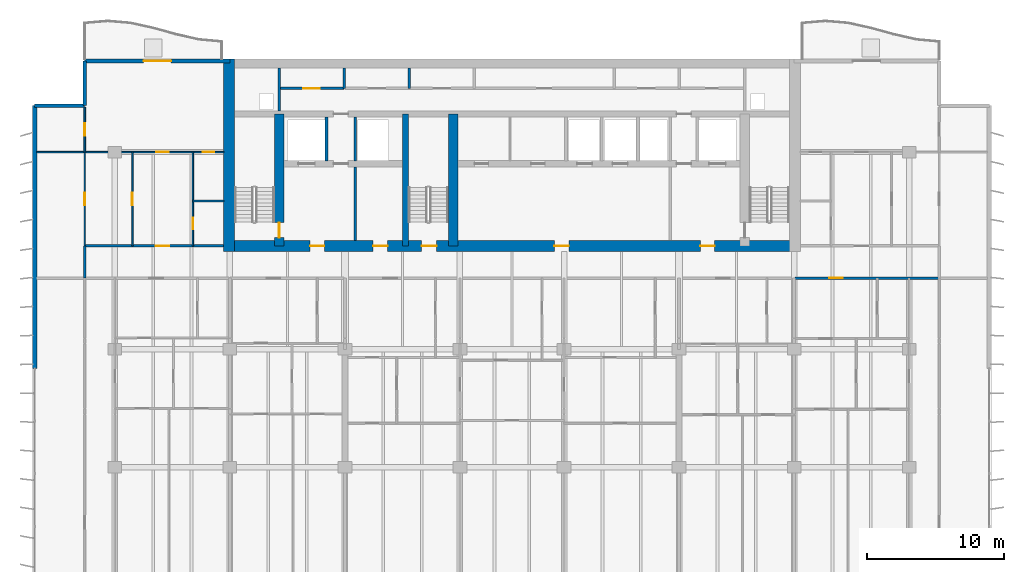
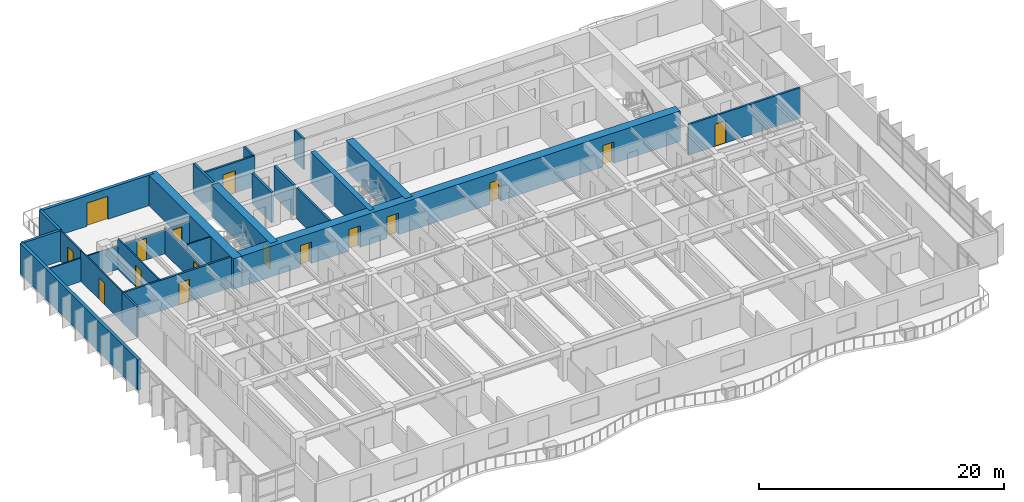
# One storey, part 10 of 17: 25 walls, 16 doors, 16 openings.
"""IFC4 building model written with IfcOpenShell, lengths in metres."""

from ifc_helpers import new_model, si_unit, direction, frame, frame_2d, origin, place, context, subcontext, project, spatial, rectangle, extrude, material, layer, layer_set, type_object, element, fill, save


model = new_model("IFC4")

# Units and contexts
model_context = context("Model", 3, precision=1e-05, world=origin(), true_north=direction((0.0, 1.0)))
body_context = subcontext(model_context, "Body", "Model", "MODEL_VIEW")
ifc_project = project(units=[si_unit("LENGTHUNIT", "METRE"), si_unit("AREAUNIT", "SQUARE_METRE"), si_unit("VOLUMEUNIT", "CUBIC_METRE"), si_unit("PLANEANGLEUNIT", "RADIAN"), si_unit("MASSUNIT", "GRAM", prefix="KILO")], contexts=[model_context])

# Site, building, storey
site_placement = place(None, origin())
site = spatial("IfcSite", under=ifc_project, at=site_placement, CompositionType="ELEMENT")
building_placement = place(site_placement, origin())
building = spatial("IfcBuilding", under=site, at=building_placement, Name="Caelmar Bay Residences", CompositionType="ELEMENT")
storey_placement = place(building_placement, frame((0.0, 0.0, 105.89990234375)))
storey = spatial("IfcBuildingStorey", under=building, at=storey_placement, Name="L28", CompositionType="ELEMENT", Elevation=105.89990234375)

# Wall, opening, door
ifc_material_1 = material(Name="Concrete f'c 55 MPa (8,000 psi)", Category="concrete")
ifc_layer_1 = layer(ifc_material_1, 0.699951171875)
ifc_layer_set_1 = layer_set([ifc_layer_1], Name="Concrete f'c 55 MPa (8,000 psi)")
wall_type_1 = type_object("IfcWallType", Name="SW-COR-700", PredefinedType="SHEAR", material=ifc_layer_set_1)
wall_1_placement = place(storey_placement, frame((21.89990234375, 36.949951171875, 0.0), z_axis=(0.0, 0.0, 1.0), x_axis=(0.0, 1.0, 0.0)))
wall_1 = element("IfcWall", 1, at=wall_1_placement, inside=storey, type_object=wall_type_1, Name="L28 Core Structural Web Wall ST1E", PredefinedType="SHEAR", context=body_context, shape_type="SweptSolid", body=[
    extrude(rectangle(XDim=9.625, YDim=0.699951171875, at=frame_2d((4.8125, 0.0))), origin(), (0.0, 0.0, 1.0), 3.050048828125),
])
opening_1_placement = place(wall_1_placement, frame((0.60009765625, 0.0, 0.0)))
opening_1 = element("IfcOpeningElement", 2, at=opening_1_placement, cuts=wall_1, Name="Opening D-L28-107", PredefinedType="OPENING", context=body_context, shape_type="SweptSolid", body=[
    extrude(rectangle(XDim=1.10009765625, YDim=2.14990234375, at=frame_2d((0.550048828125, 1.074951171875))), frame((0.0, 0.35986328125, 0.0), z_axis=(0.0, -1.0, 0.0), x_axis=(1.0, 0.0, 0.0)), (0.0, 0.0, 1.0), 0.719970703125),
])
ifc_material_2 = material(Name="Fire-rated steel and walnut architectural door assembly", Category="steel")
ifc_layer_2 = layer(ifc_material_2, 0.050048828125)
ifc_layer_set_2 = layer_set([ifc_layer_2], Name="Fire-rated steel and walnut architectural door assembly")
door_type_1 = type_object("IfcDoorType", Name="D-STAIR-1100", OperationType="NOTDEFINED", PredefinedType="DOOR", material=ifc_layer_set_2)
door_1_placement = place(opening_1_placement, origin())
door_1 = element("IfcDoor", 3, at=door_1_placement, inside=storey, type_object=door_type_1, Name="L28 Firefighting Lobby West Door", OperationType="SINGLE_SWING_LEFT", OverallHeight=2.14990234375, OverallWidth=1.10009765625, PredefinedType="DOOR", context=body_context, shape_type="SweptSolid", body=[
    extrude(rectangle(XDim=1.10009765625, YDim=2.14990234375, at=frame_2d((0.550048828125, 1.074951171875))), frame((0.0, 0.02490234375, 0.0), z_axis=(0.0, -1.0, 0.0), x_axis=(1.0, 0.0, 0.0)), (0.0, 0.0, 1.0), 0.050048828125),
])
fill(opening_1, door_1)

# Wall
wall_2_placement = place(storey_placement, frame((34.60009765625, 36.949951171875, 0.0), z_axis=(0.0, 0.0, 1.0), x_axis=(0.0, 1.0, 0.0)))
element("IfcWall", 4, at=wall_2_placement, inside=storey, type_object=wall_type_1, Name="L28 Core Structural Web Wall ST3E", PredefinedType="SHEAR", context=body_context, shape_type="SweptSolid", body=[
    extrude(rectangle(XDim=9.625, YDim=0.699951171875, at=frame_2d((4.8125, 0.0))), origin(), (0.0, 0.0, 1.0), 3.050048828125),
])

# Wall, openings, doors
ifc_material_3 = material(Name="Concrete f'c 70 MPa (10,000 psi)", Category="concrete")
ifc_layer_3 = layer(ifc_material_3, 0.800048828125)
ifc_layer_set_3 = layer_set([ifc_layer_3], Name="Concrete f'c 70 MPa (10,000 psi)")
wall_type_2 = type_object("IfcWallType", Name="SW-COR-800", PredefinedType="SHEAR", material=ifc_layer_set_3)
wall_3_placement = place(storey_placement, frame((17.85009765625, 36.949951171875, 0.0), z_axis=(0.0, 0.0, 1.0), x_axis=(1.0, 0.0, 0.0)))
wall_3 = element("IfcWall", 5, at=wall_3_placement, inside=storey, type_object=wall_type_2, Name="L28 Rear Core South Shear Wall", PredefinedType="SHEAR", context=body_context, shape_type="SweptSolid", body=[
    extrude(rectangle(XDim=42.099853515625, YDim=0.800048828125, at=frame_2d((21.0498046875, 0.0))), origin(), (0.0, 0.0, 1.0), 3.050048828125),
])
opening_2_placement = place(wall_3_placement, frame((14.449951171875, 0.0, 0.0)))
opening_2 = element("IfcOpeningElement", 6, at=opening_2_placement, cuts=wall_3, Name="Opening D-L28-105", PredefinedType="OPENING", context=body_context, shape_type="SweptSolid", body=[
    extrude(rectangle(XDim=1.10009765625, YDim=2.14990234375, at=frame_2d((0.550048828125, 1.074951171875))), frame((0.0, 0.409912109375, 0.0), z_axis=(0.0, -1.0, 0.0), x_axis=(1.0, 0.0, 0.0)), (0.0, 0.0, 1.0), 0.820068359375),
])
opening_3_placement = place(wall_3_placement, frame((6.300048828125, 0.0, 0.0)))
opening_3 = element("IfcOpeningElement", 7, at=opening_3_placement, cuts=wall_3, Name="Opening D-L28-106", PredefinedType="OPENING", context=body_context, shape_type="SweptSolid", body=[
    extrude(rectangle(XDim=1.050048828125, YDim=2.14990234375, at=frame_2d((0.52490234375, 1.074951171875))), frame((0.0, 0.409912109375, 0.0), z_axis=(0.0, -1.0, 0.0), x_axis=(1.0, 0.0, 0.0)), (0.0, 0.0, 1.0), 0.820068359375),
])
opening_4_placement = place(wall_3_placement, frame((34.800048828125, 0.0, 0.0)))
opening_4 = element("IfcOpeningElement", 8, at=opening_4_placement, cuts=wall_3, Name="Opening D-L28-109", PredefinedType="OPENING", context=body_context, shape_type="SweptSolid", body=[
    extrude(rectangle(XDim=1.050048828125, YDim=2.14990234375, at=frame_2d((0.52490234375, 1.074951171875))), frame((0.0, 0.409912109375, 0.0), z_axis=(0.0, -1.0, 0.0), x_axis=(1.0, 0.0, 0.0)), (0.0, 0.0, 1.0), 0.820068359375),
])
opening_5_placement = place(wall_3_placement, frame((10.91259765625, 0.0, 0.0)))
opening_5 = element("IfcOpeningElement", 9, at=opening_5_placement, cuts=wall_3, Name="Opening D-L28-112", PredefinedType="OPENING", context=body_context, shape_type="SweptSolid", body=[
    extrude(rectangle(XDim=1.050048828125, YDim=2.14990234375, at=frame_2d((0.52490234375, 1.074951171875))), frame((0.0, 0.409912109375, 0.0), z_axis=(0.0, -1.0, 0.0), x_axis=(1.0, 0.0, 0.0)), (0.0, 0.0, 1.0), 0.820068359375),
])
opening_6_placement = place(wall_3_placement, frame((24.14990234375, 0.0, 0.0)))
opening_6 = element("IfcOpeningElement", 10, at=opening_6_placement, cuts=wall_3, Name="Opening D-L28-113", PredefinedType="OPENING", context=body_context, shape_type="SweptSolid", body=[
    extrude(rectangle(XDim=1.050048828125, YDim=2.14990234375, at=frame_2d((0.52490234375, 1.074951171875))), frame((0.0, 0.409912109375, 0.0), z_axis=(0.0, -1.0, 0.0), x_axis=(1.0, 0.0, 0.0)), (0.0, 0.0, 1.0), 0.820068359375),
])
ifc_layer_4 = layer(ifc_material_2, 0.050048828125)
ifc_layer_set_4 = layer_set([ifc_layer_4], Name="Fire-rated steel and walnut architectural door assembly")
door_type_2 = type_object("IfcDoorType", Name="D-FSAE-1050", OperationType="NOTDEFINED", PredefinedType="DOOR", material=ifc_layer_set_4)
door_2_placement = place(opening_3_placement, origin())
door_2 = element("IfcDoor", 11, at=door_2_placement, inside=storey, type_object=door_type_2, Name="L28 Firefighting Lobby West Door", OperationType="SINGLE_SWING_RIGHT", OverallHeight=2.14990234375, OverallWidth=1.050048828125, PredefinedType="DOOR", context=body_context, shape_type="SweptSolid", body=[
    extrude(rectangle(XDim=1.050048828125, YDim=2.14990234375, at=frame_2d((0.52490234375, 1.074951171875))), frame((0.0, 0.02490234375, 0.0), z_axis=(0.0, -1.0, 0.0), x_axis=(1.0, 0.0, 0.0)), (0.0, 0.0, 1.0), 0.050048828125),
])
fill(opening_3, door_2)
door_3_placement = place(opening_4_placement, origin())
door_3 = element("IfcDoor", 12, at=door_3_placement, inside=storey, type_object=door_type_2, Name="L28 Firefighting Lobby East Door", OperationType="SINGLE_SWING_LEFT", OverallHeight=2.14990234375, OverallWidth=1.050048828125, PredefinedType="DOOR", context=body_context, shape_type="SweptSolid", body=[
    extrude(rectangle(XDim=1.050048828125, YDim=2.14990234375, at=frame_2d((0.52490234375, 1.074951171875))), frame((0.0, 0.02490234375, 0.0), z_axis=(0.0, -1.0, 0.0), x_axis=(1.0, 0.0, 0.0)), (0.0, 0.0, 1.0), 0.050048828125),
])
fill(opening_4, door_3)
door_4_placement = place(opening_5_placement, origin())
door_4 = element("IfcDoor", 13, at=door_4_placement, inside=storey, type_object=door_type_2, Name="L28 West Lift Lobby Door", OperationType="SINGLE_SWING_RIGHT", OverallHeight=2.14990234375, OverallWidth=1.050048828125, PredefinedType="DOOR", context=body_context, shape_type="SweptSolid", body=[
    extrude(rectangle(XDim=1.050048828125, YDim=2.14990234375, at=frame_2d((0.52490234375, 1.074951171875))), frame((0.0, 0.02490234375, 0.0), z_axis=(0.0, -1.0, 0.0), x_axis=(1.0, 0.0, 0.0)), (0.0, 0.0, 1.0), 0.050048828125),
])
fill(opening_5, door_4)
door_5_placement = place(opening_6_placement, origin())
door_5 = element("IfcDoor", 14, at=door_5_placement, inside=storey, type_object=door_type_2, Name="L28 Passenger Lift Lobby Door", OperationType="SINGLE_SWING_LEFT", OverallHeight=2.14990234375, OverallWidth=1.050048828125, PredefinedType="DOOR", context=body_context, shape_type="SweptSolid", body=[
    extrude(rectangle(XDim=1.050048828125, YDim=2.14990234375, at=frame_2d((0.52490234375, 1.074951171875))), frame((0.0, 0.02490234375, 0.0), z_axis=(0.0, -1.0, 0.0), x_axis=(1.0, 0.0, 0.0)), (0.0, 0.0, 1.0), 0.050048828125),
])
fill(opening_6, door_5)
door_6_placement = place(opening_2_placement, origin())
door_6 = element("IfcDoor", 15, at=door_6_placement, inside=storey, type_object=door_type_1, Name="L28 Exit Stair ST3 Door", OperationType="SINGLE_SWING_LEFT", OverallHeight=2.14990234375, OverallWidth=1.10009765625, PredefinedType="DOOR", context=body_context, shape_type="SweptSolid", body=[
    extrude(rectangle(XDim=1.10009765625, YDim=2.14990234375, at=frame_2d((0.550048828125, 1.074951171875))), frame((0.0, 0.02490234375, 0.0), z_axis=(0.0, -1.0, 0.0), x_axis=(1.0, 0.0, 0.0)), (0.0, 0.0, 1.0), 0.050048828125),
])
fill(opening_2, door_6)

# Walls
wall_4_placement = place(storey_placement, frame((18.25, 36.550048828125, 0.0), z_axis=(0.0, 0.0, 1.0), x_axis=(0.0, 1.0, 0.0)))
element("IfcWall", 16, at=wall_4_placement, inside=storey, type_object=wall_type_2, Name="L28 Rear Core West Shear Wall", PredefinedType="SHEAR", context=body_context, shape_type="SweptSolid", body=[
    extrude(rectangle(XDim=14.050048828125, YDim=0.800048828125, at=frame_2d((7.02490234375, 0.0))), origin(), (0.0, 0.0, 1.0), 3.050048828125),
])
ifc_layer_5 = layer(ifc_material_3, 0.449951171875)
ifc_layer_set_5 = layer_set([ifc_layer_5], Name="Concrete f'c 70 MPa (10,000 psi)")
wall_type_3 = type_object("IfcWallType", Name="SW-WEB-450", PredefinedType="SHEAR", material=ifc_layer_set_5)
wall_5_placement = place(storey_placement, frame((31.125, 36.949951171875, 0.0), z_axis=(0.0, 0.0, 1.0), x_axis=(0.0, 1.0, 0.0)))
element("IfcWall", 17, at=wall_5_placement, inside=storey, type_object=wall_type_3, Name="L28 Core Structural Web Wall ST3W", PredefinedType="SHEAR", context=body_context, shape_type="SweptSolid", body=[
    extrude(rectangle(XDim=9.625, YDim=0.449951171875, at=frame_2d((4.8125, 0.0))), origin(), (0.0, 0.0, 1.0), 3.050048828125),
])
ifc_material_4 = material(Name="Double-stud acoustic fire-rated gypsum partition 180 mm")
ifc_layer_6 = layer(ifc_material_4, 0.179931640625)
ifc_layer_set_6 = layer_set([ifc_layer_6], Name="Double-stud acoustic fire-rated gypsum partition 180 mm")
wall_type_4 = type_object("IfcWallType", Name="W-COR-200", PredefinedType="PARTITIONING", material=ifc_layer_set_6)
wall_6_placement = place(storey_placement, frame((7.699951171875, 34.60498046875, 0.0), z_axis=(0.0, 0.0, 1.0), x_axis=(0.0, 1.0, 0.0)))
element("IfcWall", 18, at=wall_6_placement, inside=storey, type_object=wall_type_4, Name="L28 Partition Wall V006", PredefinedType="PARTITIONING", context=body_context, shape_type="SweptSolid", body=[
    extrude(rectangle(XDim=2.344970703125, YDim=0.179931640625, at=frame_2d((1.17236328125, 0.0))), origin(), (0.0, 0.0, 1.0), 3.050048828125),
])
for number, where, z_axis, x_axis, name in (
    (19, (26.64990234375, 48.449951171875, 0.0), (0.0, 0.0, 1.0), (0.0, 1.0, 0.0), "L28 Partition Wall V037"),
    (20, (31.39990234375, 48.449951171875, 0.0), (0.0, 0.0, 1.0), (0.0, 1.0, 0.0), "L28 Partition Wall V048"),
):
    element("IfcWall", number, at=place(storey_placement, frame(where, z_axis=z_axis, x_axis=x_axis)), inside=storey, type_object=wall_type_4, Name=name, PredefinedType="PARTITIONING", context=body_context, shape_type="SweptSolid", body=[
        extrude(rectangle(XDim=1.505126953125, YDim=0.179931640625, at=frame_2d((0.75244140625, 0.0))), origin(), (0.0, 0.0, 1.0), 3.050048828125),
    ])

# Wall, opening, door
wall_7_placement = place(storey_placement, frame((59.550048828125, 34.60009765625, 0.0), z_axis=(0.0, 0.0, 1.0), x_axis=(1.0, 0.0, 0.0)))
wall_7 = element("IfcWall", 21, at=wall_7_placement, inside=storey, type_object=wall_type_4, Name="L28 Partition Wall H143", PredefinedType="PARTITIONING", context=body_context, shape_type="SweptSolid", body=[
    extrude(rectangle(XDim=10.550048828125, YDim=0.179931640625, at=frame_2d((5.27490234375, 0.0))), origin(), (0.0, 0.0, 1.0), 3.050048828125),
])
opening_7_placement = place(wall_7_placement, frame((2.510009765625, 0.0, 0.0)))
opening_7 = element("IfcOpeningElement", 22, at=opening_7_placement, cuts=wall_7, Name="Opening D-L28-161", PredefinedType="OPENING", context=body_context, shape_type="SweptSolid", body=[
    extrude(rectangle(XDim=1.0, YDim=2.199951171875, at=frame_2d((0.5, 1.10009765625))), frame((0.0, 0.099853515625, 0.0), z_axis=(0.0, -1.0, 0.0), x_axis=(1.0, 0.0, 0.0)), (0.0, 0.0, 1.0), 0.199951171875),
])
ifc_layer_7 = layer(ifc_material_2, 0.050048828125)
ifc_layer_set_7 = layer_set([ifc_layer_7], Name="Fire-rated steel and walnut architectural door assembly")
door_type_3 = type_object("IfcDoorType", Name="D-UNIT-1000", OperationType="NOTDEFINED", PredefinedType="DOOR", material=ifc_layer_set_7)
door_7_placement = place(opening_7_placement, origin())
door_7 = element("IfcDoor", 23, at=door_7_placement, inside=storey, type_object=door_type_3, Name="L28 Residence 05 Apartment Hall Door", OperationType="SINGLE_SWING_LEFT", OverallHeight=2.199951171875, OverallWidth=1.0, PredefinedType="DOOR", context=body_context, shape_type="SweptSolid", body=[
    extrude(rectangle(XDim=1.0, YDim=2.199951171875, at=frame_2d((0.5, 1.10009765625))), frame((0.0, 0.02490234375, 0.0), z_axis=(0.0, -1.0, 0.0), x_axis=(1.0, 0.0, 0.0)), (0.0, 0.0, 1.0), 0.050048828125),
])
fill(opening_7, door_7)

wall_8_placement = place(storey_placement, frame((7.699951171875, 36.949951171875, 0.0), z_axis=(0.0, 0.0, 1.0), x_axis=(1.0, 0.0, 0.0)))
wall_8 = element("IfcWall", 24, at=wall_8_placement, inside=storey, type_object=wall_type_4, Name="L28 Partition Wall H145", PredefinedType="PARTITIONING", context=body_context, shape_type="SweptSolid", body=[
    extrude(rectangle(XDim=10.14501953125, YDim=0.179931640625, at=frame_2d((5.072509765625, 0.0))), origin(), (0.0, 0.0, 1.0), 3.050048828125),
])
opening_8_placement = place(wall_8_placement, frame((5.18798828125, 0.0, 0.0)))
opening_8 = element("IfcOpeningElement", 25, at=opening_8_placement, cuts=wall_8, Name="Opening D-L28-172", PredefinedType="OPENING", context=body_context, shape_type="SweptSolid", body=[
    extrude(rectangle(XDim=1.0, YDim=2.199951171875, at=frame_2d((0.5, 1.10009765625))), frame((0.0, 0.099853515625, 0.0), z_axis=(0.0, -1.0, 0.0), x_axis=(1.0, 0.0, 0.0)), (0.0, 0.0, 1.0), 0.199951171875),
])
door_8_placement = place(opening_8_placement, origin())
door_8 = element("IfcDoor", 26, at=door_8_placement, inside=storey, type_object=door_type_3, Name="L28 Residence WA Kitchen Door", OperationType="SINGLE_SWING_RIGHT", OverallHeight=2.199951171875, OverallWidth=1.0, PredefinedType="DOOR", context=body_context, shape_type="SweptSolid", body=[
    extrude(rectangle(XDim=1.0, YDim=2.199951171875, at=frame_2d((0.5, 1.10009765625))), frame((0.0, 0.02490234375, 0.0), z_axis=(0.0, -1.0, 0.0), x_axis=(1.0, 0.0, 0.0)), (0.0, 0.0, 1.0), 0.050048828125),
])
fill(opening_8, door_8)

wall_9_placement = place(storey_placement, frame((21.89990234375, 48.449951171875, 0.0), z_axis=(0.0, 0.0, 1.0), x_axis=(1.0, 0.0, 0.0)))
wall_9 = element("IfcWall", 27, at=wall_9_placement, inside=storey, type_object=wall_type_4, Name="L28 Partition Wall H151", PredefinedType="PARTITIONING", context=body_context, shape_type="SweptSolid", body=[
    extrude(rectangle(XDim=4.75, YDim=0.179931640625, at=frame_2d((2.375, 0.0))), origin(), (0.0, 0.0, 1.0), 3.050048828125),
])
opening_9_placement = place(wall_9_placement, frame((1.77490234375, 0.0, 0.0)))
opening_9 = element("IfcOpeningElement", 28, at=opening_9_placement, cuts=wall_9, Name="Opening D-L28-118", PredefinedType="OPENING", context=body_context, shape_type="SweptSolid", body=[
    extrude(rectangle(XDim=1.199951171875, YDim=2.199951171875, at=frame_2d((0.60009765625, 1.10009765625))), frame((0.0, 0.099853515625, 0.0), z_axis=(0.0, -1.0, 0.0), x_axis=(1.0, 0.0, 0.0)), (0.0, 0.0, 1.0), 0.199951171875),
])
ifc_layer_8 = layer(ifc_material_2, 0.050048828125)
ifc_layer_set_8 = layer_set([ifc_layer_8], Name="Fire-rated steel and walnut architectural door assembly")
door_type_4 = type_object("IfcDoorType", Name="D-PLANT-1200", OperationType="NOTDEFINED", PredefinedType="DOOR", material=ifc_layer_set_8)
door_9_placement = place(opening_9_placement, origin())
door_9 = element("IfcDoor", 29, at=door_9_placement, inside=storey, type_object=door_type_4, Name="L28 Branch Panel Closet Door", OperationType="SINGLE_SWING_RIGHT", OverallHeight=2.199951171875, OverallWidth=1.199951171875, PredefinedType="DOOR", context=body_context, shape_type="SweptSolid", body=[
    extrude(rectangle(XDim=1.199951171875, YDim=2.199951171875, at=frame_2d((0.60009765625, 1.10009765625))), frame((0.0, 0.02490234375, 0.0), z_axis=(0.0, -1.0, 0.0), x_axis=(1.0, 0.0, 0.0)), (0.0, 0.0, 1.0), 0.050048828125),
])
fill(opening_9, door_9)

# Walls
ifc_material_5 = material(Name="Precast concrete f'c 40 MPa (6,000 psi)", Category="concrete")
ifc_layer_9 = layer(ifc_material_5, 0.25)
ifc_layer_set_9 = layer_set([ifc_layer_9], Name="Precast concrete f'c 40 MPa (6,000 psi)")
wall_type_5 = type_object("IfcWallType", Name="W-EXT-250", PredefinedType="ELEMENTEDWALL", material=ifc_layer_set_9)
wall_10_placement = place(storey_placement, frame((4.050048828125, 47.199951171875, 0.0), z_axis=(0.0, 0.0, 1.0), x_axis=(1.0, 0.0, 0.0)))
element("IfcWall", 30, at=wall_10_placement, inside=storey, type_object=wall_type_5, Name="L28 NNW-H Notch Wall", PredefinedType="ELEMENTEDWALL", context=body_context, shape_type="SweptSolid", body=[
    extrude(rectangle(XDim=3.64990234375, YDim=0.25, at=frame_2d((1.824951171875, 0.0))), origin(), (0.0, 0.0, 1.0), 3.050048828125),
])
wall_11_placement = place(storey_placement, frame((7.699951171875, 47.199951171875, 0.0), z_axis=(0.0, 0.0, 1.0), x_axis=(0.0, 1.0, 0.0)))
element("IfcWall", 31, at=wall_11_placement, inside=storey, type_object=wall_type_5, Name="L28 NNW-V Notch Wall", PredefinedType="ELEMENTEDWALL", context=body_context, shape_type="SweptSolid", body=[
    extrude(rectangle(XDim=3.25, YDim=0.25, at=frame_2d((1.625, 0.0))), origin(), (0.0, 0.0, 1.0), 3.050048828125),
])
ifc_layer_10 = layer(ifc_material_5, 0.300048828125)
ifc_layer_set_10 = layer_set([ifc_layer_10], Name="Precast concrete f'c 40 MPa (6,000 psi)")
wall_type_6 = type_object("IfcWallType", Name="W-EXT-300", PredefinedType="STANDARD", material=ifc_layer_set_10)
wall_12_placement = place(storey_placement, frame((4.050048828125, 28.0, 0.0), z_axis=(0.0, 0.0, 1.0), x_axis=(0.0, 1.0, 0.0)))
element("IfcWall", 32, at=wall_12_placement, inside=storey, type_object=wall_type_6, Name="L28 West Rear Exterior Wall", PredefinedType="STANDARD", context=body_context, shape_type="SweptSolid", body=[
    extrude(rectangle(XDim=19.199951171875, YDim=0.300048828125, at=frame_2d((9.60009765625, 0.0))), origin(), (0.0, 0.0, 1.0), 3.050048828125),
])

# Wall, opening, door
wall_13_placement = place(storey_placement, frame((7.699951171875, 50.449951171875, 0.0), z_axis=(0.0, 0.0, 1.0), x_axis=(1.0, 0.0, 0.0)))
wall_13 = element("IfcWall", 33, at=wall_13_placement, inside=storey, type_object=wall_type_6, Name="L28 North-West Wing Exterior Wall", PredefinedType="STANDARD", context=body_context, shape_type="SweptSolid", body=[
    extrude(rectangle(XDim=10.60009765625, YDim=0.300048828125, at=frame_2d((5.300048828125, 0.0))), origin(), (0.0, 0.0, 1.0), 3.050048828125),
])
opening_10_placement = place(wall_13_placement, frame((4.300048828125, 0.0, 0.0)))
opening_10 = element("IfcOpeningElement", 34, at=opening_10_placement, cuts=wall_13, Name="Opening L28-BDNW", PredefinedType="OPENING", context=body_context, shape_type="SweptSolid", body=[
    extrude(rectangle(XDim=2.0, YDim=2.300048828125, at=frame_2d((1.0, 1.14990234375))), frame((0.0, 0.159912109375, 0.0), z_axis=(0.0, -1.0, 0.0), x_axis=(1.0, 0.0, 0.0)), (0.0, 0.0, 1.0), 0.320068359375),
])
ifc_material_6 = material(Name="Anodised bronze thermally broken sliding glass door", Category="glass")
ifc_layer_11 = layer(ifc_material_6, 0.050048828125)
ifc_layer_set_11 = layer_set([ifc_layer_11], Name="Anodised bronze thermally broken sliding glass door")
door_type_5 = type_object("IfcDoorType", Name="D-BAL-2000", OperationType="DOUBLE_DOOR_SLIDING", PredefinedType="DOOR", material=ifc_layer_set_11)
door_10_placement = place(opening_10_placement, origin())
door_10 = element("IfcDoor", 35, at=door_10_placement, inside=storey, type_object=door_type_5, Name="L28 North-West Balcony Door", OperationType="DOUBLE_DOOR_SLIDING", OverallHeight=2.300048828125, OverallWidth=2.0, PredefinedType="DOOR", context=body_context, shape_type="SweptSolid", body=[
    extrude(rectangle(XDim=2.0, YDim=2.300048828125, at=frame_2d((1.0, 1.14990234375))), frame((0.0, 0.02490234375, 0.0), z_axis=(0.0, -1.0, 0.0), x_axis=(1.0, 0.0, 0.0)), (0.0, 0.0, 1.0), 0.050048828125),
])
fill(opening_10, door_10)

# Walls
ifc_material_7 = material(Name="Fire-rated masonry and gypsum shaftliner assembly 200 mm", Category="masonry")
ifc_layer_12 = layer(ifc_material_7, 0.199951171875)
ifc_layer_set_12 = layer_set([ifc_layer_12], Name="Fire-rated masonry and gypsum shaftliner assembly 200 mm")
wall_type_7 = type_object("IfcWallType", Name="W-FSAE-200", PredefinedType="PARTITIONING", material=ifc_layer_set_12)
wall_14_placement = place(storey_placement, frame((21.89990234375, 46.794921875, 0.0), z_axis=(0.0, 0.0, 1.0), x_axis=(0.0, 1.0, 0.0)))
element("IfcWall", 36, at=wall_14_placement, inside=storey, type_object=wall_type_7, Name="L28 Partition Wall V029", PredefinedType="PARTITIONING", context=body_context, shape_type="SweptSolid", body=[
    extrude(rectangle(XDim=3.16015625, YDim=0.199951171875, at=frame_2d((1.580078125, 0.0))), origin(), (0.0, 0.0, 1.0), 3.050048828125),
])
wall_15_placement = place(storey_placement, frame((25.35009765625, 43.169921875, 0.0), z_axis=(0.0, 0.0, 1.0), x_axis=(0.0, 1.0, 0.0)))
element("IfcWall", 37, at=wall_15_placement, inside=storey, type_object=wall_type_7, Name="L28 Partition Wall V036", PredefinedType="PARTITIONING", context=body_context, shape_type="SweptSolid", body=[
    extrude(rectangle(XDim=3.18505859375, YDim=0.199951171875, at=frame_2d((1.592529296875, 0.0))), origin(), (0.0, 0.0, 1.0), 3.050048828125),
])
wall_16_placement = place(storey_placement, frame((27.449951171875, 37.344970703125, 0.0), z_axis=(0.0, 0.0, 1.0), x_axis=(0.0, 1.0, 0.0)))
element("IfcWall", 38, at=wall_16_placement, inside=storey, type_object=wall_type_7, Name="L28 Partition Wall V043", PredefinedType="PARTITIONING", context=body_context, shape_type="SweptSolid", body=[
    extrude(rectangle(XDim=5.385009765625, YDim=0.199951171875, at=frame_2d((2.6923828125, 0.0))), origin(), (0.0, 0.0, 1.0), 3.050048828125),
])
wall_17_placement = place(storey_placement, frame((27.449951171875, 43.169921875, 0.0), z_axis=(0.0, 0.0, 1.0), x_axis=(0.0, 1.0, 0.0)))
element("IfcWall", 39, at=wall_17_placement, inside=storey, type_object=wall_type_7, Name="L28 Partition Wall V044", PredefinedType="PARTITIONING", context=body_context, shape_type="SweptSolid", body=[
    extrude(rectangle(XDim=3.18505859375, YDim=0.199951171875, at=frame_2d((1.592529296875, 0.0))), origin(), (0.0, 0.0, 1.0), 3.050048828125),
])

# Wall, opening, door
ifc_material_8 = material(Name="Anodised bronze framed acoustic sliding study partition 100 mm")
ifc_layer_13 = layer(ifc_material_8, 0.10009765625)
ifc_layer_set_13 = layer_set([ifc_layer_13], Name="Anodised bronze framed acoustic sliding study partition 100 mm")
wall_type_8 = type_object("IfcWallType", Name="W-MOV-100", PredefinedType="MOVABLE", material=ifc_layer_set_13)
wall_18_placement = place(storey_placement, frame((7.699951171875, 36.955078125, 0.0), z_axis=(0.0, 0.0, 1.0), x_axis=(0.0, 1.0, 0.0)))
wall_18 = element("IfcWall", 40, at=wall_18_placement, inside=storey, type_object=wall_type_8, Name="L28 Partition Wall V007", PredefinedType="MOVABLE", context=body_context, shape_type="SweptSolid", body=[
    extrude(rectangle(XDim=6.844970703125, YDim=0.10009765625, at=frame_2d((3.42236328125, 0.0))), origin(), (0.0, 0.0, 1.0), 3.050048828125),
])
opening_11_placement = place(wall_18_placement, frame((2.972412109375, 0.0, 0.0)))
opening_11 = element("IfcOpeningElement", 41, at=opening_11_placement, cuts=wall_18, Name="Opening D-L28-176", PredefinedType="OPENING", context=body_context, shape_type="SweptSolid", body=[
    extrude(rectangle(XDim=0.89990234375, YDim=2.14990234375, at=frame_2d((0.449951171875, 1.074951171875))), frame((0.0, 0.06005859375, 0.0), z_axis=(0.0, -1.0, 0.0), x_axis=(1.0, 0.0, 0.0)), (0.0, 0.0, 1.0), 0.1201171875),
])
ifc_material_9 = material(Name="Solid walnut timber interior door leaf and frame", Category="wood")
ifc_layer_14 = layer(ifc_material_9, 0.050048828125)
ifc_layer_set_14 = layer_set([ifc_layer_14], Name="Solid walnut timber interior door leaf and frame")
door_type_6 = type_object("IfcDoorType", Name="D-ROOM-900", OperationType="NOTDEFINED", PredefinedType="DOOR", material=ifc_layer_set_14)
door_11_placement = place(opening_11_placement, origin())
door_11 = element("IfcDoor", 42, at=door_11_placement, inside=storey, type_object=door_type_6, Name="L28 Residence WA Sun Study Door", OperationType="SINGLE_SWING_RIGHT", OverallHeight=2.14990234375, OverallWidth=0.89990234375, PredefinedType="DOOR", context=body_context, shape_type="SweptSolid", body=[
    extrude(rectangle(XDim=0.89990234375, YDim=2.14990234375, at=frame_2d((0.449951171875, 1.074951171875))), frame((0.0, 0.02490234375, 0.0), z_axis=(0.0, -1.0, 0.0), x_axis=(1.0, 0.0, 0.0)), (0.0, 0.0, 1.0), 0.050048828125),
])
fill(opening_11, door_11)

ifc_material_10 = material(Name="Acoustic metal-stud gypsum partition 120 mm")
ifc_layer_15 = layer(ifc_material_10, 0.1201171875)
ifc_layer_set_15 = layer_set([ifc_layer_15], Name="Acoustic metal-stud gypsum partition 120 mm")
wall_type_9 = type_object("IfcWallType", Name="W-PRT-120", PredefinedType="PARTITIONING", material=ifc_layer_set_15)
wall_19_placement = place(storey_placement, frame((7.699951171875, 43.804931640625, 0.0), z_axis=(0.0, 0.0, 1.0), x_axis=(0.0, 1.0, 0.0)))
wall_19 = element("IfcWall", 43, at=wall_19_placement, inside=storey, type_object=wall_type_9, Name="L28 Partition Wall V008", PredefinedType="PARTITIONING", context=body_context, shape_type="SweptSolid", body=[
    extrude(rectangle(XDim=3.275146484375, YDim=0.1201171875, at=frame_2d((1.6376953125, 0.0))), origin(), (0.0, 0.0, 1.0), 3.050048828125),
])
opening_12_placement = place(wall_19_placement, frame((1.1875, 0.0, 0.0)))
opening_12 = element("IfcOpeningElement", 44, at=opening_12_placement, cuts=wall_19, Name="Opening D-L28-177", PredefinedType="OPENING", context=body_context, shape_type="SweptSolid", body=[
    extrude(rectangle(XDim=0.89990234375, YDim=2.14990234375, at=frame_2d((0.449951171875, 1.074951171875))), frame((0.0, 0.070068359375, 0.0), z_axis=(0.0, -1.0, 0.0), x_axis=(1.0, 0.0, 0.0)), (0.0, 0.0, 1.0), 0.14013671875),
])
door_12_placement = place(opening_12_placement, origin())
door_12 = element("IfcDoor", 45, at=door_12_placement, inside=storey, type_object=door_type_6, Name="L28 Residence WA North Sitting Alcove Door", OperationType="SINGLE_SWING_LEFT", OverallHeight=2.14990234375, OverallWidth=0.89990234375, PredefinedType="DOOR", context=body_context, shape_type="SweptSolid", body=[
    extrude(rectangle(XDim=0.89990234375, YDim=2.14990234375, at=frame_2d((0.449951171875, 1.074951171875))), frame((0.0, 0.02490234375, 0.0), z_axis=(0.0, -1.0, 0.0), x_axis=(1.0, 0.0, 0.0)), (0.0, 0.0, 1.0), 0.050048828125),
])
fill(opening_12, door_12)

wall_20_placement = place(storey_placement, frame((11.176025390625, 36.949951171875, 0.0), z_axis=(0.0, 0.0, 1.0), x_axis=(0.0, 1.0, 0.0)))
wall_20 = element("IfcWall", 46, at=wall_20_placement, inside=storey, type_object=wall_type_9, Name="L28 Partition Wall V015", PredefinedType="PARTITIONING", context=body_context, shape_type="SweptSolid", body=[
    extrude(rectangle(XDim=6.85009765625, YDim=0.1201171875, at=frame_2d((3.425048828125, 0.0))), origin(), (0.0, 0.0, 1.0), 3.050048828125),
])
opening_13_placement = place(wall_20_placement, frame((2.97509765625, 0.0, 0.0)))
opening_13 = element("IfcOpeningElement", 47, at=opening_13_placement, cuts=wall_20, Name="Opening D-L28-171", PredefinedType="OPENING", context=body_context, shape_type="SweptSolid", body=[
    extrude(rectangle(XDim=0.89990234375, YDim=2.14990234375, at=frame_2d((0.449951171875, 1.074951171875))), frame((0.0, 0.070068359375, 0.0), z_axis=(0.0, -1.0, 0.0), x_axis=(1.0, 0.0, 0.0)), (0.0, 0.0, 1.0), 0.14013671875),
])
door_13_placement = place(opening_13_placement, origin())
door_13 = element("IfcDoor", 48, at=door_13_placement, inside=storey, type_object=door_type_6, Name="L28 Residence WA Dining Room Door", OperationType="SINGLE_SWING_LEFT", OverallHeight=2.14990234375, OverallWidth=0.89990234375, PredefinedType="DOOR", context=body_context, shape_type="SweptSolid", body=[
    extrude(rectangle(XDim=0.89990234375, YDim=2.14990234375, at=frame_2d((0.449951171875, 1.074951171875))), frame((0.0, 0.02490234375, 0.0), z_axis=(0.0, -1.0, 0.0), x_axis=(1.0, 0.0, 0.0)), (0.0, 0.0, 1.0), 0.050048828125),
])
fill(opening_13, door_13)

wall_21_placement = place(storey_placement, frame((15.60009765625, 36.949951171875, 0.0), z_axis=(0.0, 0.0, 1.0), x_axis=(0.0, 1.0, 0.0)))
wall_21 = element("IfcWall", 49, at=wall_21_placement, inside=storey, type_object=wall_type_9, Name="L28 Partition Wall V021", PredefinedType="PARTITIONING", context=body_context, shape_type="SweptSolid", body=[
    extrude(rectangle(XDim=6.85009765625, YDim=0.1201171875, at=frame_2d((3.425048828125, 0.0))), origin(), (0.0, 0.0, 1.0), 2.578125),
])
opening_14_placement = place(wall_21_placement, frame((1.218994140625, 0.0, 0.0)))
opening_14 = element("IfcOpeningElement", 50, at=opening_14_placement, cuts=wall_21, Name="Opening D-L28-174", PredefinedType="OPENING", context=body_context, shape_type="SweptSolid", body=[
    extrude(rectangle(XDim=0.85009765625, YDim=2.10009765625, at=frame_2d((0.425048828125, 1.050048828125))), frame((0.0, 0.070068359375, 0.0), z_axis=(0.0, -1.0, 0.0), x_axis=(1.0, 0.0, 0.0)), (0.0, 0.0, 1.0), 0.14013671875),
])
ifc_layer_16 = layer(ifc_material_9, 0.050048828125)
ifc_layer_set_16 = layer_set([ifc_layer_16], Name="Solid walnut timber interior door leaf and frame")
door_type_7 = type_object("IfcDoorType", Name="D-BATH-850", OperationType="NOTDEFINED", PredefinedType="DOOR", material=ifc_layer_set_16)
door_14_placement = place(opening_14_placement, origin())
door_14 = element("IfcDoor", 51, at=door_14_placement, inside=storey, type_object=door_type_7, Name="L28 Residence WA Walk-In Closet Door", OperationType="SINGLE_SWING_RIGHT", OverallHeight=2.10009765625, OverallWidth=0.85009765625, PredefinedType="DOOR", context=body_context, shape_type="SweptSolid", body=[
    extrude(rectangle(XDim=0.85009765625, YDim=2.10009765625, at=frame_2d((0.425048828125, 1.050048828125))), frame((0.0, 0.02490234375, 0.0), z_axis=(0.0, -1.0, 0.0), x_axis=(1.0, 0.0, 0.0)), (0.0, 0.0, 1.0), 0.050048828125),
])
fill(opening_14, door_14)

# Wall
wall_22_placement = place(storey_placement, frame((15.60009765625, 40.238037109375, 0.0), z_axis=(0.0, 0.0, 1.0), x_axis=(1.0, 0.0, 0.0)))
element("IfcWall", 52, at=wall_22_placement, inside=storey, type_object=wall_type_9, Name="L28 Partition Wall H147", PredefinedType="PARTITIONING", context=body_context, shape_type="SweptSolid", body=[
    extrude(rectangle(XDim=2.2548828125, YDim=0.1201171875, at=frame_2d((1.12744140625, 0.0))), origin(), (0.0, 0.0, 1.0), 3.050048828125),
])

# Wall, openings, doors
wall_23_placement = place(storey_placement, frame((4.195068359375, 43.800048828125, 0.0), z_axis=(0.0, 0.0, 1.0), x_axis=(1.0, 0.0, 0.0)))
wall_23 = element("IfcWall", 53, at=wall_23_placement, inside=storey, type_object=wall_type_9, Name="L28 Partition Wall H149", PredefinedType="PARTITIONING", context=body_context, shape_type="SweptSolid", body=[
    extrude(rectangle(XDim=13.659912109375, YDim=0.1201171875, at=frame_2d((6.830078125, 0.0))), origin(), (0.0, 0.0, 1.0), 2.339111328125),
])
opening_15_placement = place(wall_23_placement, frame((8.742919921875, 0.0, 0.0)))
opening_15 = element("IfcOpeningElement", 54, at=opening_15_placement, cuts=wall_23, Name="Opening D-L28-173", PredefinedType="OPENING", context=body_context, shape_type="SweptSolid", body=[
    extrude(rectangle(XDim=0.89990234375, YDim=2.14990234375, at=frame_2d((0.449951171875, 1.074951171875))), frame((0.0, 0.070068359375, 0.0), z_axis=(0.0, -1.0, 0.0), x_axis=(1.0, 0.0, 0.0)), (0.0, 0.0, 1.0), 0.14013671875),
])
opening_16_placement = place(wall_23_placement, frame((12.107421875, 0.0, 0.0)))
opening_16 = element("IfcOpeningElement", 55, at=opening_16_placement, cuts=wall_23, Name="Opening D-L28-175", PredefinedType="OPENING", context=body_context, shape_type="SweptSolid", body=[
    extrude(rectangle(XDim=0.85009765625, YDim=2.10009765625, at=frame_2d((0.425048828125, 1.050048828125))), frame((0.0, 0.070068359375, 0.0), z_axis=(0.0, -1.0, 0.0), x_axis=(1.0, 0.0, 0.0)), (0.0, 0.0, 1.0), 0.14013671875),
])
door_15_placement = place(opening_16_placement, origin())
door_15 = element("IfcDoor", 56, at=door_15_placement, inside=storey, type_object=door_type_7, Name="L28 Residence WA Bathroom Door", OperationType="SINGLE_SWING_LEFT", OverallHeight=2.10009765625, OverallWidth=0.85009765625, PredefinedType="DOOR", context=body_context, shape_type="SweptSolid", body=[
    extrude(rectangle(XDim=0.85009765625, YDim=2.10009765625, at=frame_2d((0.425048828125, 1.050048828125))), frame((0.0, 0.02490234375, 0.0), z_axis=(0.0, -1.0, 0.0), x_axis=(1.0, 0.0, 0.0)), (0.0, 0.0, 1.0), 0.050048828125),
])
fill(opening_16, door_15)
door_16_placement = place(opening_15_placement, origin())
door_16 = element("IfcDoor", 57, at=door_16_placement, inside=storey, type_object=door_type_6, Name="L28 Residence WA Studio Living and Sleeping Room Door", OperationType="SINGLE_SWING_LEFT", OverallHeight=2.14990234375, OverallWidth=0.89990234375, PredefinedType="DOOR", context=body_context, shape_type="SweptSolid", body=[
    extrude(rectangle(XDim=0.89990234375, YDim=2.14990234375, at=frame_2d((0.449951171875, 1.074951171875))), frame((0.0, 0.02490234375, 0.0), z_axis=(0.0, -1.0, 0.0), x_axis=(1.0, 0.0, 0.0)), (0.0, 0.0, 1.0), 0.050048828125),
])
fill(opening_15, door_16)

save(model, "model.ifc")
